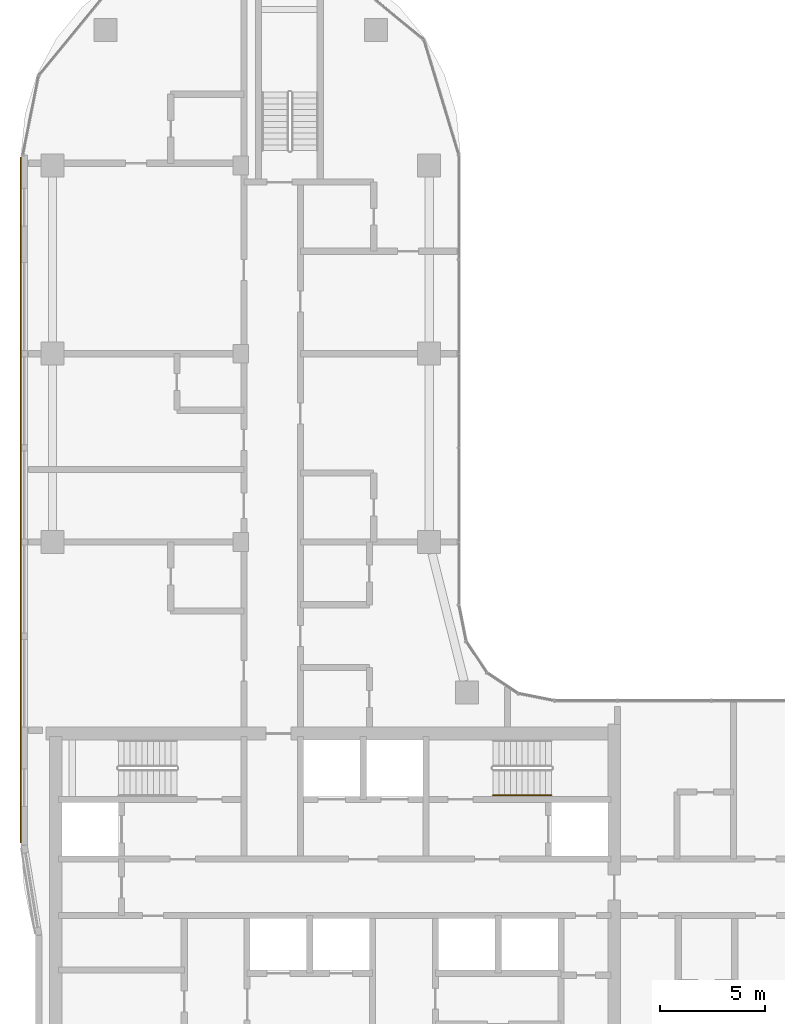
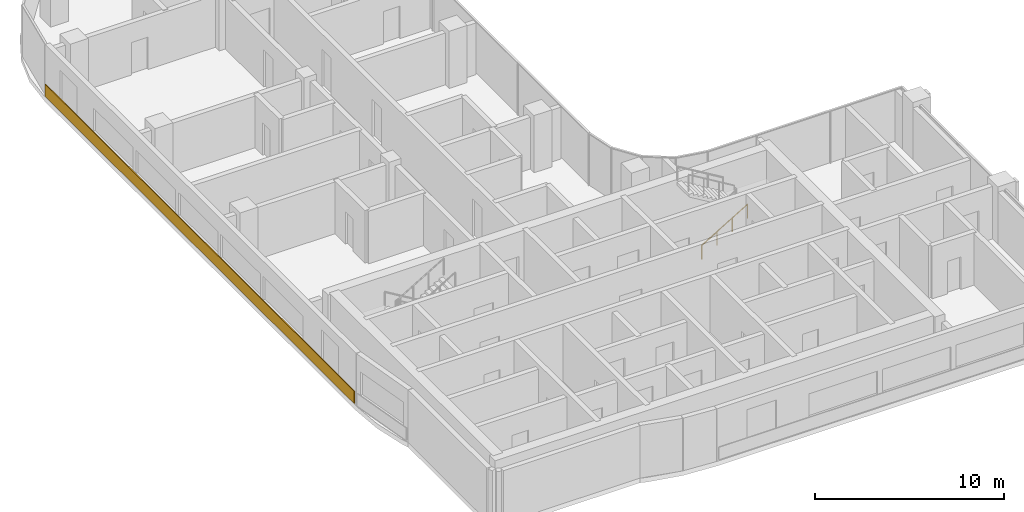
# One storey, part 19 of 23: 1 covering, 1 railing.
"""IFC4 building model written with IfcOpenShell, lengths in metres."""

from ifc_helpers import new_model, si_unit, direction, frame, origin, origin_2d, place, context, subcontext, project, spatial, rectangle, circle, extrude, material, layer, layer_set, type_object, element, save


model = new_model("IFC4")

# Units and contexts
model_context = context("Model", 3, precision=1e-05, world=origin(), true_north=direction((0.0, 1.0)))
body_context = subcontext(model_context, "Body", "Model", "MODEL_VIEW")
ifc_project = project(units=[si_unit("LENGTHUNIT", "METRE"), si_unit("AREAUNIT", "SQUARE_METRE"), si_unit("VOLUMEUNIT", "CUBIC_METRE"), si_unit("PLANEANGLEUNIT", "RADIAN"), si_unit("MASSUNIT", "GRAM", prefix="KILO")], contexts=[model_context])

# Site, building, storey
site_placement = place(None, origin())
site = spatial("IfcSite", under=ifc_project, at=site_placement, CompositionType="ELEMENT")
building_placement = place(site_placement, origin())
building = spatial("IfcBuilding", under=site, at=building_placement, Name="Ogive Portal Towers", CompositionType="ELEMENT")
storey_placement = place(building_placement, frame((0.0, 0.0, 149.60009765625)))
storey = spatial("IfcBuildingStorey", under=building, at=storey_placement, Name="L36", CompositionType="ELEMENT", Elevation=149.60009765625)

# Railing
ifc_material_1 = material(Name="Stainless steel handrail", Category="steel")
railing_type = type_object("IfcRailingType", Name="INT-HANDRAIL", PredefinedType="HANDRAIL", material=ifc_material_1)
railing_placement = place(storey_placement, frame((52.550048828125, 36.39990234375, 0.16796875)))
element("IfcRailing", 1, at=railing_placement, inside=storey, type_object=railing_type, Name="L36 ST-A2 stair handrail 1", PredefinedType="HANDRAIL", context=body_context, shape_type="SweptSolid", body=[
    extrude(circle(Radius=0.02392578125, at=origin_2d()), frame((0.0, 0.0, 0.8759765625), z_axis=(0.857242210791, 0.0, 0.514913383045), x_axis=(0.0, 1.0, 0.0)), (0.0, 0.0, 1.0), 3.266357421875),
    extrude(circle(Radius=0.02099609375, at=origin_2d()), origin(), (0.0, 0.0, 1.0), 0.851806640625),
    extrude(circle(Radius=0.02099609375, at=origin_2d()), frame((0.933349609375, 0.0, 0.560546875)), (0.0, 0.0, 1.0), 0.851806640625),
    extrude(circle(Radius=0.02099609375, at=origin_2d()), frame((1.86669921875, 0.0, 1.121337890625)), (0.0, 0.0, 1.0), 0.851806640625),
    extrude(circle(Radius=0.02099609375, at=origin_2d()), frame((2.800048828125, 0.0, 1.681884765625)), (0.0, 0.0, 1.0), 0.851806640625),
])

# Covering
ifc_material_2 = material(Name="Limestone cladding on lightweight block wall", Category="masonry")
ifc_layer = layer(ifc_material_2, 0.050048828125)
ifc_layer_set = layer_set([ifc_layer], Name="SCREEN PERFORATED STONE")
covering_type = type_object("IfcCoveringType", Name="SCREEN PERFORATED STONE", PredefinedType="CLADDING", material=ifc_layer_set)
covering_placement = place(storey_placement, frame((29.97509765625, 50.50830078125, 0.10009765625), z_axis=(0.0, 0.0, 1.0), x_axis=(0.0, -1.0, 0.0)))
element("IfcCovering", 2, at=covering_placement, inside=storey, type_object=covering_type, Name="Tracery screen", PredefinedType="CLADDING", context=body_context, shape_type="SweptSolid", body=[
    extrude(rectangle(XDim=32.767822265625, YDim=0.050048828125, at=origin_2d()), origin(), (0.0, 0.0, 1.0), 0.800048828125),
])

save(model, "model.ifc")
